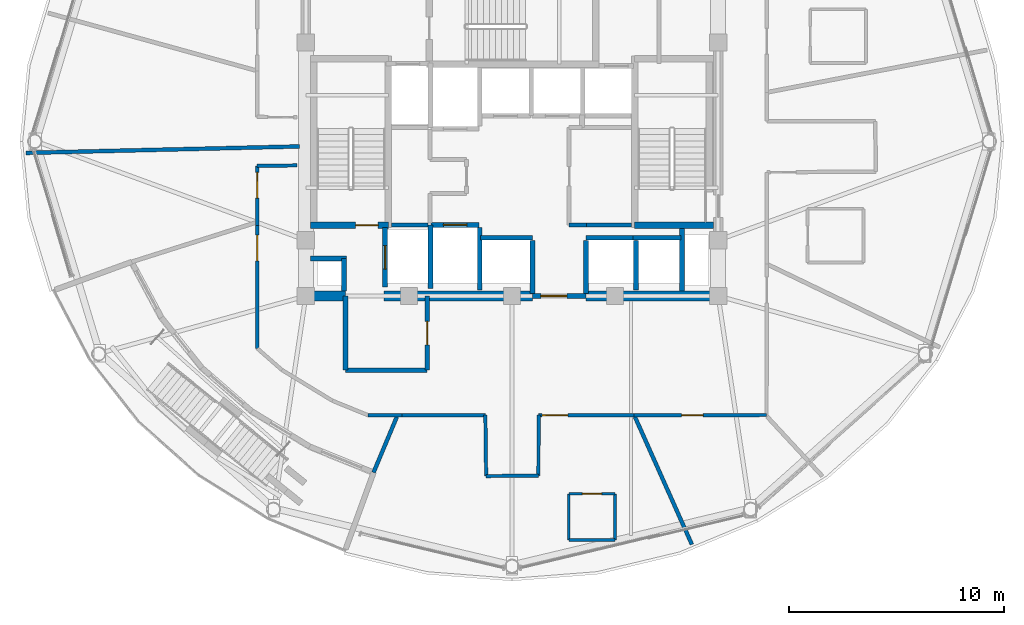
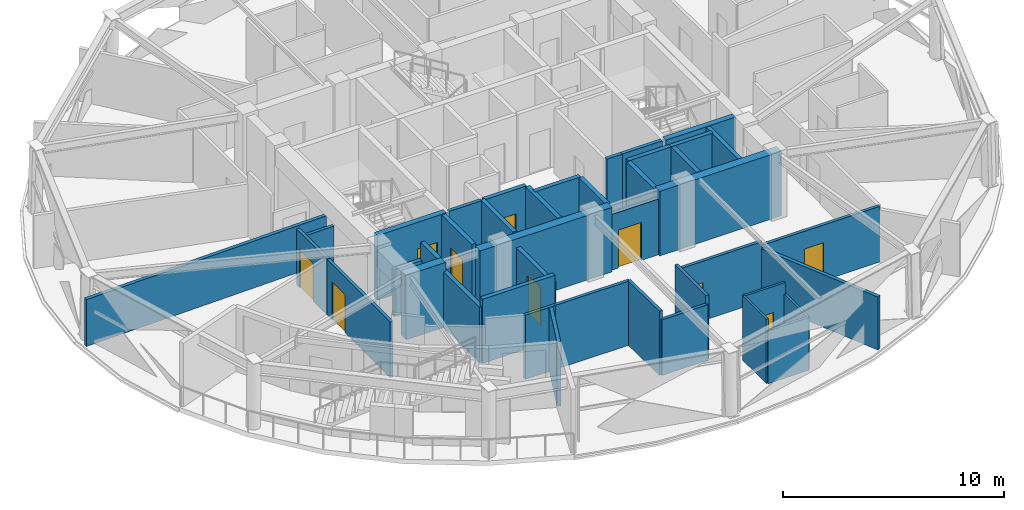
# One storey, part 10 of 17: 42 walls, 10 doors, 10 openings.
"""IFC4 building model written with IfcOpenShell, lengths in metres."""

from ifc_helpers import new_model, si_unit, direction, frame, frame_2d, origin, place, context, subcontext, project, spatial, rectangle, extrude, material, layer, layer_set, type_object, element, fill, save


model = new_model("IFC4")

# Units and contexts
model_context = context("Model", 3, precision=1e-05, world=origin(), true_north=direction((0.0, 1.0)))
body_context = subcontext(model_context, "Body", "Model", "MODEL_VIEW")
ifc_project = project(units=[si_unit("LENGTHUNIT", "METRE"), si_unit("AREAUNIT", "SQUARE_METRE"), si_unit("VOLUMEUNIT", "CUBIC_METRE"), si_unit("PLANEANGLEUNIT", "RADIAN"), si_unit("MASSUNIT", "GRAM", prefix="KILO")], contexts=[model_context])

# Site, building, storey
site_placement = place(None, origin())
site = spatial("IfcSite", under=ifc_project, at=site_placement, CompositionType="ELEMENT")
building_placement = place(site_placement, origin())
building = spatial("IfcBuilding", under=site, at=building_placement, Name="Vantalir Tower", CompositionType="ELEMENT")
storey_placement = place(building_placement, frame((0.0, 0.0, 208.64990234375)))
storey = spatial("IfcBuildingStorey", under=building, at=storey_placement, Name="L52", CompositionType="ELEMENT", Elevation=208.64990234375)

# Wall
ifc_material_1 = material(Name="Moisture-resistant en-suite partition", Category="gypsum")
ifc_layer_1 = layer(ifc_material_1, 0.125)
ifc_layer_set_1 = layer_set([ifc_layer_1], Name="Moisture-resistant en-suite partition")
wall_type_1 = type_object("IfcWallType", Name="WL-BATH-125", PredefinedType="PARTITIONING", material=ifc_layer_set_1)
wall_1_placement = place(storey_placement, frame((34.14794921875, 6.43896484375, 0.0), z_axis=(0.0, 0.0, 1.0), x_axis=(1.0, 0.0, 0.0)))
element("IfcWall", 1, at=wall_1_placement, inside=storey, type_object=wall_type_1, Name="L52 En-suite 09 South Wall", PredefinedType="PARTITIONING", context=body_context, shape_type="SweptSolid", body=[
    extrude(rectangle(XDim=2.150146484375, YDim=0.125, at=frame_2d((1.0751953125, 0.0))), origin(), (0.0, 0.0, 1.0), 2.925048828125),
])

# Wall, opening, door
wall_2_placement = place(storey_placement, frame((34.14794921875, 8.589111328125, 0.0), z_axis=(0.0, 0.0, 1.0), x_axis=(1.0, 0.0, 0.0)))
wall_2 = element("IfcWall", 2, at=wall_2_placement, inside=storey, type_object=wall_type_1, Name="L52 En-suite 09 North Wall", PredefinedType="PARTITIONING", context=body_context, shape_type="SweptSolid", body=[
    extrude(rectangle(XDim=2.150146484375, YDim=0.125, at=frame_2d((1.0751953125, 0.0))), origin(), (0.0, 0.0, 1.0), 3.550048828125),
])
opening_1_placement = place(wall_2_placement, frame((0.625, 0.0, 0.0)))
opening_1 = element("IfcOpeningElement", 3, at=opening_1_placement, cuts=wall_2, Name="Opening D-WC", PredefinedType="OPENING", context=body_context, shape_type="SweptSolid", body=[
    extrude(rectangle(XDim=0.89990234375, YDim=2.10009765625, at=frame_2d((0.449951171875, 1.050048828125))), frame((0.0, 0.072509765625, 0.0), z_axis=(0.0, -1.0, 0.0), x_axis=(1.0, 0.0, 0.0)), (0.0, 0.0, 1.0), 0.14501953125),
])
ifc_material_2 = material(Name="Moisture-resistant hardwood door", Category="wood")
door_type_1 = type_object("IfcDoorType", Name="DR-ENSUITE-900", OperationType="NOTDEFINED", PredefinedType="DOOR", material=ifc_material_2)
door_1_placement = place(opening_1_placement, frame((0.89990234375, 0.0, 0.0), z_axis=(0.0, 0.0, 1.0), x_axis=(-1.0, 0.0, 0.0)))
door_1 = element("IfcDoor", 4, at=door_1_placement, inside=storey, type_object=door_type_1, Name="L52 En-suite 09 Door", OperationType="SINGLE_SWING_RIGHT", OverallHeight=2.10009765625, OverallWidth=0.89990234375, PredefinedType="DOOR", context=body_context, shape_type="SweptSolid", body=[
    extrude(rectangle(XDim=0.89990234375, YDim=2.10009765625, at=frame_2d((0.449951171875, 1.050048828125))), frame((0.0, 0.02490234375, 0.0), z_axis=(0.0, -1.0, 0.0), x_axis=(1.0, 0.0, 0.0)), (0.0, 0.0, 1.0), 0.050048828125),
])
fill(opening_1, door_1)

# Walls
wall_3_placement = place(storey_placement, frame((34.14794921875, 6.43896484375, 0.0), z_axis=(0.0, 0.0, 1.0), x_axis=(0.0, 1.0, 0.0)))
element("IfcWall", 5, at=wall_3_placement, inside=storey, type_object=wall_type_1, Name="L52 En-suite 09 West Wall", PredefinedType="PARTITIONING", context=body_context, shape_type="SweptSolid", body=[
    extrude(rectangle(XDim=2.150146484375, YDim=0.125, at=frame_2d((1.0751953125, 0.0))), origin(), (0.0, 0.0, 1.0), 3.550048828125),
])
wall_4_placement = place(storey_placement, frame((36.298095703125, 6.43896484375, 0.0), z_axis=(0.0, 0.0, 1.0), x_axis=(0.0, 1.0, 0.0)))
element("IfcWall", 6, at=wall_4_placement, inside=storey, type_object=wall_type_1, Name="L52 En-suite 09 East Wall", PredefinedType="PARTITIONING", context=body_context, shape_type="SweptSolid", body=[
    extrude(rectangle(XDim=2.150146484375, YDim=0.125, at=frame_2d((1.0751953125, 0.0))), origin(), (0.0, 0.0, 1.0), 2.925048828125),
])
ifc_material_3 = material(Name="Concrete C50/60", Category="concrete")
ifc_layer_2 = layer(ifc_material_3, 0.449951171875)
ifc_layer_set_2 = layer_set([ifc_layer_2], Name="Concrete C50/60")
wall_type_2 = type_object("IfcWallType", Name="WL-CORE-450", PredefinedType="SHEAR", material=ifc_layer_set_2)
wall_5_placement = place(storey_placement, frame((21.675048828125, 17.800048828125, 0.0), z_axis=(0.0, 0.0, 1.0), x_axis=(1.0, 0.0, 0.0)))
element("IfcWall", 7, at=wall_5_placement, inside=storey, type_object=wall_type_2, Name="L52 Core Shear Wall South-West", PredefinedType="SHEAR", context=body_context, shape_type="SweptSolid", body=[
    extrude(rectangle(XDim=2.074951171875, YDim=0.449951171875, at=frame_2d((1.03759765625, 0.0))), origin(), (0.0, 0.0, 1.0), 3.570068359375),
])
wall_6_placement = place(storey_placement, frame((25.550048828125, 17.800048828125, 0.0), z_axis=(0.0, 0.0, 1.0), x_axis=(1.0, 0.0, 0.0)))
element("IfcWall", 8, at=wall_6_placement, inside=storey, type_object=wall_type_2, Name="L52 Core Shear Wall South-Mid", PredefinedType="SHEAR", context=body_context, shape_type="SweptSolid", body=[
    extrude(rectangle(XDim=6.89990234375, YDim=0.449951171875, at=frame_2d((3.449951171875, 0.0))), origin(), (0.0, 0.0, 1.0), 3.570068359375),
])
wall_7_placement = place(storey_placement, frame((34.949951171875, 17.800048828125, 0.0), z_axis=(0.0, 0.0, 1.0), x_axis=(1.0, 0.0, 0.0)))
element("IfcWall", 9, at=wall_7_placement, inside=storey, type_object=wall_type_2, Name="L52 Core Shear Wall South-East", PredefinedType="SHEAR", context=body_context, shape_type="SweptSolid", body=[
    extrude(rectangle(XDim=6.375, YDim=0.449951171875, at=frame_2d((3.1875, 0.0))), origin(), (0.0, 0.0, 1.0), 3.570068359375),
])

# Wall, opening, door
ifc_material_4 = material(Name="Fire-rated hotel corridor acoustic partition", Category="gypsum")
ifc_layer_3 = layer(ifc_material_4, 0.159912109375)
ifc_layer_set_3 = layer_set([ifc_layer_3], Name="Fire-rated hotel corridor acoustic partition")
wall_type_3 = type_object("IfcWallType", Name="WL-CORR-160", PredefinedType="PARTITIONING", material=ifc_layer_set_3)
wall_8_placement = place(storey_placement, frame((43.35009765625, 12.259033203125, 0.0), z_axis=(0.0, 0.0, 1.0), x_axis=(-0.999999653878, -0.00083201239, 0.0)))
wall_8 = element("IfcWall", 10, at=wall_8_placement, inside=storey, type_object=wall_type_3, Name="L52 Corridor Partition 20", PredefinedType="PARTITIONING", context=body_context, shape_type="SweptSolid", body=[
    extrude(rectangle(XDim=6.162109375, YDim=0.159912109375, at=frame_2d((3.0810546875, 0.0))), origin(), (0.0, 0.0, 1.0), 3.0810546875),
])
opening_2_placement = place(wall_8_placement, frame((2.947998046875, 0.0, 0.0)))
opening_2 = element("IfcOpeningElement", 11, at=opening_2_placement, cuts=wall_8, Name="Opening D-GUEST", PredefinedType="OPENING", context=body_context, shape_type="SweptSolid", body=[
    extrude(rectangle(XDim=1.0, YDim=2.10009765625, at=frame_2d((0.5, 1.050048828125))), frame((0.0, 0.08984375, 0.0), z_axis=(0.0, -1.0, 0.0), x_axis=(1.0, 0.0, 0.0)), (0.0, 0.0, 1.0), 0.179931640625),
])
ifc_material_5 = material(Name="Solid-core teak veneer acoustic fire door", Category="wood")
door_type_2 = type_object("IfcDoorType", Name="DR-GUEST-ENTRY-1000", OperationType="NOTDEFINED", PredefinedType="DOOR", material=ifc_material_5)
door_2_placement = place(opening_2_placement, origin())
door_2 = element("IfcDoor", 12, at=door_2_placement, inside=storey, type_object=door_type_2, Name="L52 Executive Business Study 10 Door", OperationType="SINGLE_SWING_LEFT", OverallHeight=2.10009765625, OverallWidth=1.0, PredefinedType="DOOR", context=body_context, shape_type="SweptSolid", body=[
    extrude(rectangle(XDim=1.0, YDim=2.10009765625, at=frame_2d((0.5, 1.050048828125))), frame((0.0, 0.02490234375, 0.0), z_axis=(0.0, -1.0, 0.0), x_axis=(1.0, 0.0, 0.0)), (0.0, 0.0, 1.0), 0.050048828125),
])
fill(opening_2, door_2)

wall_9_placement = place(storey_placement, frame((37.18798828125, 12.25390625, 0.0), z_axis=(0.0, 0.0, 1.0), x_axis=(-0.999999614379, -0.000878203734, 0.0)))
wall_9 = element("IfcWall", 13, at=wall_9_placement, inside=storey, type_object=wall_type_3, Name="L52 Corridor Partition 21", PredefinedType="PARTITIONING", context=body_context, shape_type="SweptSolid", body=[
    extrude(rectangle(XDim=4.447998046875, YDim=0.159912109375, at=frame_2d((2.22412109375, 0.0))), origin(), (0.0, 0.0, 1.0), 3.2890625),
])
opening_3_placement = place(wall_9_placement, frame((3.087890625, 0.0, 0.0)))
opening_3 = element("IfcOpeningElement", 14, at=opening_3_placement, cuts=wall_9, Name="Opening D-STE", PredefinedType="OPENING", context=body_context, shape_type="SweptSolid", body=[
    extrude(rectangle(XDim=1.199951171875, YDim=2.10009765625, at=frame_2d((0.60009765625, 1.050048828125))), frame((0.0, 0.08984375, 0.0), z_axis=(0.0, -1.0, 0.0), x_axis=(1.0, 0.0, 0.0)), (0.0, 0.0, 1.0), 0.179931640625),
])
ifc_material_6 = material(Name="Solid-core teak veneer suite entrance door", Category="wood")
door_type_3 = type_object("IfcDoorType", Name="DR-SUITE-ENTRY-1200", OperationType="NOTDEFINED", PredefinedType="DOOR", material=ifc_material_6)
door_3_placement = place(opening_3_placement, origin())
door_3 = element("IfcDoor", 15, at=door_3_placement, inside=storey, type_object=door_type_3, Name="L52 Executive Club Hotel Suite 09 Door", OperationType="SINGLE_SWING_RIGHT", OverallHeight=2.10009765625, OverallWidth=1.199951171875, PredefinedType="DOOR", context=body_context, shape_type="SweptSolid", body=[
    extrude(rectangle(XDim=1.199951171875, YDim=2.10009765625, at=frame_2d((0.60009765625, 1.050048828125))), frame((0.0, 0.02490234375, 0.0), z_axis=(0.0, -1.0, 0.0), x_axis=(1.0, 0.0, 0.0)), (0.0, 0.0, 1.0), 0.050048828125),
])
fill(opening_3, door_3)

# Walls
wall_10_placement = place(storey_placement, frame((32.739990234375, 12.25, 0.0), z_axis=(0.0, 0.0, 1.0), x_axis=(-0.003205389407, -0.999994862726, 0.0)))
element("IfcWall", 16, at=wall_10_placement, inside=storey, type_object=wall_type_3, Name="L52 Corridor Partition 22", PredefinedType="PARTITIONING", context=body_context, shape_type="SweptSolid", body=[
    extrude(rectangle(XDim=2.818115234375, YDim=0.159912109375, at=frame_2d((1.4091796875, 0.0))), origin(), (0.0, 0.0, 1.0), 3.550048828125),
])
wall_11_placement = place(storey_placement, frame((32.73095703125, 9.431884765625, 0.0), z_axis=(0.0, 0.0, 1.0), x_axis=(-0.9999812984, -0.006115786966, 0.0)))
element("IfcWall", 17, at=wall_11_placement, inside=storey, type_object=wall_type_3, Name="L52 Corridor Partition 23", PredefinedType="PARTITIONING", context=body_context, shape_type="SweptSolid", body=[
    extrude(rectangle(XDim=2.43505859375, YDim=0.159912109375, at=frame_2d((1.217529296875, 0.0))), origin(), (0.0, 0.0, 1.0), 3.0810546875),
])
wall_12_placement = place(storey_placement, frame((30.2958984375, 9.4169921875, 0.0), z_axis=(0.0, 0.0, 1.0), x_axis=(-0.012667029144, 0.999919769968, 0.0)))
element("IfcWall", 18, at=wall_12_placement, inside=storey, type_object=wall_type_3, Name="L52 Corridor Partition 24", PredefinedType="PARTITIONING", context=body_context, shape_type="SweptSolid", body=[
    extrude(rectangle(XDim=2.833251953125, YDim=0.159912109375, at=frame_2d((1.41650390625, 0.0))), origin(), (0.0, 0.0, 1.0), 3.550048828125),
])
wall_13_placement = place(storey_placement, frame((30.260009765625, 12.25, 0.0), z_axis=(0.0, 0.0, 1.0), x_axis=(-0.999999968423, 0.00025130363, 0.0)))
element("IfcWall", 19, at=wall_13_placement, inside=storey, type_object=wall_type_3, Name="L52 Corridor Partition 25", PredefinedType="PARTITIONING", context=body_context, shape_type="SweptSolid", body=[
    extrude(rectangle(XDim=3.885986328125, YDim=0.159912109375, at=frame_2d((1.94287109375, 0.0))), origin(), (0.0, 0.0, 1.0), 3.550048828125),
])
wall_14_placement = place(storey_placement, frame((26.3740234375, 12.2509765625, 0.0), z_axis=(0.0, 0.0, 1.0), x_axis=(-0.99999980948, 0.000617283833, 0.0)))
element("IfcWall", 20, at=wall_14_placement, inside=storey, type_object=wall_type_3, Name="L52 Corridor Partition 26", PredefinedType="PARTITIONING", context=body_context, shape_type="SweptSolid", body=[
    extrude(rectangle(XDim=1.58203125, YDim=0.159912109375, at=frame_2d((0.791015625, 0.0))), origin(), (0.0, 0.0, 1.0), 3.550048828125),
])

# Wall, opening, door
wall_15_placement = place(storey_placement, frame((19.638916015625, 15.362060546875, 0.0), z_axis=(0.0, 0.0, 1.0), x_axis=(-0.000340918756, 0.999999941887, 0.0)))
wall_15 = element("IfcWall", 21, at=wall_15_placement, inside=storey, type_object=wall_type_3, Name="L52 Corridor Partition 30", PredefinedType="PARTITIONING", context=body_context, shape_type="SweptSolid", body=[
    extrude(rectangle(XDim=5.72900390625, YDim=0.159912109375, at=frame_2d((2.864501953125, 0.0))), origin(), (0.0, 0.0, 1.0), 3.0810546875),
])
opening_4_placement = place(wall_15_placement, frame((4.0791015625, 0.0, 0.0)))
opening_4 = element("IfcOpeningElement", 22, at=opening_4_placement, cuts=wall_15, Name="Opening D-STE", PredefinedType="OPENING", context=body_context, shape_type="SweptSolid", body=[
    extrude(rectangle(XDim=1.199951171875, YDim=2.10009765625, at=frame_2d((0.60009765625, 1.050048828125))), frame((0.0, 0.08984375, 0.0), z_axis=(0.0, -1.0, 0.0), x_axis=(1.0, 0.0, 0.0)), (0.0, 0.0, 1.0), 0.179931640625),
])
door_4_placement = place(opening_4_placement, origin())
door_4 = element("IfcDoor", 23, at=door_4_placement, inside=storey, type_object=door_type_3, Name="L52 Sky Garden Conservatory Lounge 08 Door", OperationType="SINGLE_SWING_LEFT", OverallHeight=2.10009765625, OverallWidth=1.199951171875, PredefinedType="DOOR", context=body_context, shape_type="SweptSolid", body=[
    extrude(rectangle(XDim=1.199951171875, YDim=2.10009765625, at=frame_2d((0.60009765625, 1.050048828125))), frame((0.0, 0.02490234375, 0.0), z_axis=(0.0, -1.0, 0.0), x_axis=(1.0, 0.0, 0.0)), (0.0, 0.0, 1.0), 0.050048828125),
])
fill(opening_4, door_4)

wall_16_placement = place(storey_placement, frame((19.636962890625, 21.091064453125, 0.0), z_axis=(0.0, 0.0, 1.0), x_axis=(-0.000352951535, 0.999999937713, 0.0)))
wall_16 = element("IfcWall", 24, at=wall_16_placement, inside=storey, type_object=wall_type_3, Name="L52 Corridor Partition 31", PredefinedType="PARTITIONING", context=body_context, shape_type="SweptSolid", body=[
    extrude(rectangle(XDim=2.766845703125, YDim=0.159912109375, at=frame_2d((1.38330078125, 0.0))), origin(), (0.0, 0.0, 1.0), 3.0810546875),
])
opening_5_placement = place(wall_16_placement, frame((1.26806640625, 0.0, 0.0)))
opening_5 = element("IfcOpeningElement", 25, at=opening_5_placement, cuts=wall_16, Name="Opening D-STE", PredefinedType="OPENING", context=body_context, shape_type="SweptSolid", body=[
    extrude(rectangle(XDim=1.199951171875, YDim=2.10009765625, at=frame_2d((0.60009765625, 1.050048828125))), frame((0.0, 0.08984375, 0.0), z_axis=(0.0, -1.0, 0.0), x_axis=(1.0, 0.0, 0.0)), (0.0, 0.0, 1.0), 0.179931640625),
])
door_5_placement = place(opening_5_placement, origin())
door_5 = element("IfcDoor", 26, at=door_5_placement, inside=storey, type_object=door_type_3, Name="L52 Executive Sky Boardroom 07 Door", OperationType="SINGLE_SWING_RIGHT", OverallHeight=2.10009765625, OverallWidth=1.199951171875, PredefinedType="DOOR", context=body_context, shape_type="SweptSolid", body=[
    extrude(rectangle(XDim=1.199951171875, YDim=2.10009765625, at=frame_2d((0.60009765625, 1.050048828125))), frame((0.0, 0.02490234375, 0.0), z_axis=(0.0, -1.0, 0.0), x_axis=(1.0, 0.0, 0.0)), (0.0, 0.0, 1.0), 0.050048828125),
])
fill(opening_5, door_5)

# Walls
wall_17_placement = place(storey_placement, frame((19.635986328125, 23.85791015625, 0.0), z_axis=(0.0, 0.0, 1.0), x_axis=(0.999915502175, 0.012999558072, 0.0)))
element("IfcWall", 27, at=wall_17_placement, inside=storey, type_object=wall_type_3, Name="L52 Corridor Partition 32", PredefinedType="PARTITIONING", context=body_context, shape_type="SweptSolid", body=[
    extrude(rectangle(XDim=1.859375, YDim=0.159912109375, at=frame_2d((0.9296875, 0.0))), origin(), (0.0, 0.0, 1.0), 2.59521484375),
])
ifc_material_7 = material(Name="Concrete blockwork with fireboard lining", Category="masonry")
ifc_layer_4 = layer(ifc_material_7, 0.219970703125)
ifc_layer_set_4 = layer_set([ifc_layer_4], Name="Concrete blockwork with fireboard lining")
wall_type_4 = type_object("IfcWallType", Name="WL-FFL-220", PredefinedType="PARTITIONING", material=ifc_layer_set_4)
wall_18_placement = place(storey_placement, frame((30.0, 18.080078125, 0.0), z_axis=(0.0, 0.0, 1.0), x_axis=(0.0, 1.0, 0.0)))
element("IfcWall", 28, at=wall_18_placement, inside=storey, type_object=wall_type_4, Name="L52 Service Lift SV1 East Shaft Wall", PredefinedType="PARTITIONING", context=body_context, shape_type="SweptSolid", body=[
    extrude(rectangle(XDim=2.89990234375, YDim=0.219970703125, at=frame_2d((1.449951171875, 0.0))), origin(), (0.0, 0.0, 1.0), 3.545166015625),
])
for number, where, z_axis, x_axis, name in (
    (29, (32.449951171875, 17.919921875, 0.0), (0.0, 0.0, 1.0), (0.0, 1.0, 0.0), "L52 Shuttle Lift PL-X1 East Shaft Cheek"),
    (30, (34.949951171875, 17.919921875, 0.0), (0.0, 0.0, 1.0), (0.0, 1.0, 0.0), "L52 Shuttle Lift PL-X3 West Shaft Cheek"),
):
    element("IfcWall", number, at=place(storey_placement, frame(where, z_axis=z_axis, x_axis=x_axis)), inside=storey, type_object=wall_type_4, Name=name, PredefinedType="PARTITIONING", context=body_context, shape_type="SweptSolid", body=[
        extrude(rectangle(XDim=2.469970703125, YDim=0.219970703125, at=frame_2d((1.23486328125, 0.0))), origin(), (0.0, 0.0, 1.0), 3.545166015625),
    ])
wall_19_placement = place(storey_placement, frame((37.27490234375, 18.080078125, 0.0), z_axis=(0.0, 0.0, 1.0), x_axis=(0.0, 1.0, 0.0)))
element("IfcWall", 31, at=wall_19_placement, inside=storey, type_object=wall_type_4, Name="L52 Shuttle Lift PL-X2/X3 Shaft Divider", PredefinedType="PARTITIONING", context=body_context, shape_type="SweptSolid", body=[
    extrude(rectangle(XDim=2.309814453125, YDim=0.219970703125, at=frame_2d((1.15478515625, 0.0))), origin(), (0.0, 0.0, 1.0), 3.545166015625),
])

# Wall, opening, door
wall_20_placement = place(storey_placement, frame((32.449951171875, 17.800048828125, 0.0), z_axis=(0.0, 0.0, 1.0), x_axis=(1.0, 0.0, 0.0)))
wall_20 = element("IfcWall", 32, at=wall_20_placement, inside=storey, type_object=wall_type_4, Name="L52 Passenger Lift Lobby South Wall", PredefinedType="PARTITIONING", context=body_context, shape_type="SweptSolid", body=[
    extrude(rectangle(XDim=2.5, YDim=0.219970703125, at=frame_2d((1.25, 0.0))), origin(), (0.0, 0.0, 1.0), 3.0810546875),
])
opening_6_placement = place(wall_20_placement, frame((0.39990234375, 0.0, 0.0)))
opening_6 = element("IfcOpeningElement", 33, at=opening_6_placement, cuts=wall_20, Name="Opening D-STE", PredefinedType="OPENING", context=body_context, shape_type="SweptSolid", body=[
    extrude(rectangle(XDim=1.199951171875, YDim=2.10009765625, at=frame_2d((0.60009765625, 1.050048828125))), frame((0.0, 0.119873046875, 0.0), z_axis=(0.0, -1.0, 0.0), x_axis=(1.0, 0.0, 0.0)), (0.0, 0.0, 1.0), 0.239990234375),
])
door_6_placement = place(opening_6_placement, origin())
door_6 = element("IfcDoor", 34, at=door_6_placement, inside=storey, type_object=door_type_3, Name="L52 Passenger Lift Lobby Concourse Door", OperationType="SINGLE_SWING_LEFT", OverallHeight=2.10009765625, OverallWidth=1.199951171875, PredefinedType="DOOR", context=body_context, shape_type="SweptSolid", body=[
    extrude(rectangle(XDim=1.199951171875, YDim=2.10009765625, at=frame_2d((0.60009765625, 1.050048828125))), frame((0.0, 0.02490234375, 0.0), z_axis=(0.0, -1.0, 0.0), x_axis=(1.0, 0.0, 0.0)), (0.0, 0.0, 1.0), 0.050048828125),
])
fill(opening_6, door_6)

# Walls
wall_21_placement = place(storey_placement, frame((23.679931640625, 18.02490234375, 0.0), z_axis=(0.0, 0.0, 1.0), x_axis=(0.0, 1.0, 0.0)))
element("IfcWall", 35, at=wall_21_placement, inside=storey, type_object=wall_type_4, Name="L52 West MEP Riser Wall E", PredefinedType="PARTITIONING", context=body_context, shape_type="SweptSolid", body=[
    extrude(rectangle(XDim=1.525146484375, YDim=0.219970703125, at=frame_2d((0.7626953125, 0.0))), origin(), (0.0, 0.0, 1.0), 3.550048828125),
])
wall_22_placement = place(storey_placement, frame((22.125, 19.550048828125, 0.0), z_axis=(0.0, 0.0, 1.0), x_axis=(1.0, 0.0, 0.0)))
element("IfcWall", 36, at=wall_22_placement, inside=storey, type_object=wall_type_4, Name="L52 West MEP Riser Wall N", PredefinedType="PARTITIONING", context=body_context, shape_type="SweptSolid", body=[
    extrude(rectangle(XDim=1.6650390625, YDim=0.219970703125, at=frame_2d((0.83251953125, 0.0))), origin(), (0.0, 0.0, 1.0), 2.59521484375),
])
wall_23_placement = place(storey_placement, frame((39.419921875, 18.02490234375, 0.0), z_axis=(0.0, 0.0, 1.0), x_axis=(0.0, 1.0, 0.0)))
element("IfcWall", 37, at=wall_23_placement, inside=storey, type_object=wall_type_4, Name="L52 East MEP Riser Wall W", PredefinedType="PARTITIONING", context=body_context, shape_type="SweptSolid", body=[
    extrude(rectangle(XDim=2.925048828125, YDim=0.219970703125, at=frame_2d((1.46240234375, 0.0))), origin(), (0.0, 0.0, 1.0), 3.550048828125),
])

# Wall, opening, door
wall_24_placement = place(storey_placement, frame((25.590087890625, 18.219970703125, 0.0), z_axis=(0.0, 0.0, 1.0), x_axis=(0.0, 1.0, 0.0)))
wall_24 = element("IfcWall", 38, at=wall_24_placement, inside=storey, type_object=wall_type_4, Name="L52 Lift FL1 Shaft Front Wall", PredefinedType="PARTITIONING", context=body_context, shape_type="SweptSolid", body=[
    extrude(rectangle(XDim=2.760009765625, YDim=0.219970703125, at=frame_2d((1.3798828125, 0.0))), origin(), (0.0, 0.0, 1.0), 3.550048828125),
])
opening_7_placement = place(wall_24_placement, frame((0.830078125, 0.0, 0.0)))
opening_7 = element("IfcOpeningElement", 39, at=opening_7_placement, cuts=wall_24, Name="Opening LD-FL1", PredefinedType="OPENING", context=body_context, shape_type="SweptSolid", body=[
    extrude(rectangle(XDim=1.10009765625, YDim=2.199951171875, at=frame_2d((0.550048828125, 1.10009765625))), frame((0.0, 0.119873046875, 0.0), z_axis=(0.0, -1.0, 0.0), x_axis=(1.0, 0.0, 0.0)), (0.0, 0.0, 1.0), 0.239990234375),
])
ifc_material_8 = material(Name="Brushed stainless-steel sliding lift landing door", Category="steel")
door_type_4 = type_object("IfcDoorType", Name="DR-LIFT-LANDING-1100", OperationType="DOUBLE_DOOR_SLIDING", PredefinedType="DOOR", material=ifc_material_8)
door_7_placement = place(opening_7_placement, origin())
door_7 = element("IfcDoor", 40, at=door_7_placement, inside=storey, type_object=door_type_4, Name="L52 Lift Landing Door FL1", OperationType="DOUBLE_DOOR_SLIDING", OverallHeight=2.199951171875, OverallWidth=1.10009765625, PredefinedType="DOOR", context=body_context, shape_type="SweptSolid", body=[
    extrude(rectangle(XDim=1.10009765625, YDim=2.199951171875, at=frame_2d((0.550048828125, 1.10009765625))), frame((0.0, 0.02490234375, 0.0), z_axis=(0.0, -1.0, 0.0), x_axis=(1.0, 0.0, 0.0)), (0.0, 0.0, 1.0), 0.050048828125),
])
fill(opening_7, door_7)

wall_25_placement = place(storey_placement, frame((27.739990234375, 21.110107421875, 0.0), z_axis=(0.0, 0.0, 1.0), x_axis=(1.0, 0.0, 0.0)))
wall_25 = element("IfcWall", 41, at=wall_25_placement, inside=storey, type_object=wall_type_4, Name="L52 Lift SV1 Shaft Front Wall", PredefinedType="PARTITIONING", context=body_context, shape_type="SweptSolid", body=[
    extrude(rectangle(XDim=2.219970703125, YDim=0.219970703125, at=frame_2d((1.10986328125, 0.0))), origin(), (0.0, 0.0, 1.0), 3.550048828125),
])
opening_8_placement = place(wall_25_placement, frame((0.56005859375, 0.0, 0.0)))
opening_8 = element("IfcOpeningElement", 42, at=opening_8_placement, cuts=wall_25, Name="Opening LD-SV1", PredefinedType="OPENING", context=body_context, shape_type="SweptSolid", body=[
    extrude(rectangle(XDim=1.10009765625, YDim=2.199951171875, at=frame_2d((0.550048828125, 1.10009765625))), frame((0.0, 0.119873046875, 0.0), z_axis=(0.0, -1.0, 0.0), x_axis=(1.0, 0.0, 0.0)), (0.0, 0.0, 1.0), 0.239990234375),
])
door_8_placement = place(opening_8_placement, origin())
door_8 = element("IfcDoor", 43, at=door_8_placement, inside=storey, type_object=door_type_4, Name="L52 Lift Landing Door SV1", OperationType="DOUBLE_DOOR_SLIDING", OverallHeight=2.199951171875, OverallWidth=1.10009765625, PredefinedType="DOOR", context=body_context, shape_type="SweptSolid", body=[
    extrude(rectangle(XDim=1.10009765625, YDim=2.199951171875, at=frame_2d((0.550048828125, 1.10009765625))), frame((0.0, 0.02490234375, 0.0), z_axis=(0.0, -1.0, 0.0), x_axis=(1.0, 0.0, 0.0)), (0.0, 0.0, 1.0), 0.050048828125),
])
fill(opening_8, door_8)

# Walls
wall_26_placement = place(storey_placement, frame((30.0400390625, 20.510009765625, 0.0), z_axis=(0.0, 0.0, 1.0), x_axis=(1.0, 0.0, 0.0)))
element("IfcWall", 44, at=wall_26_placement, inside=storey, type_object=wall_type_4, Name="L52 Lift PL-X1 Shaft Front Wall", PredefinedType="PARTITIONING", context=body_context, shape_type="SweptSolid", body=[
    extrude(rectangle(XDim=2.419921875, YDim=0.219970703125, at=frame_2d((1.2099609375, 0.0))), origin(), (0.0, 0.0, 1.0), 3.550048828125),
])
for number, where, z_axis, x_axis, name in (
    (45, (37.139892578125, 20.510009765625, 0.0), (0.0, 0.0, 1.0), (1.0, 0.0, 0.0), "L52 Lift PL-X2 Shaft Rear Wall"),
    (46, (34.93994140625, 20.510009765625, 0.0), (0.0, 0.0, 1.0), (1.0, 0.0, 0.0), "L52 Lift PL-X3 Shaft Front Wall"),
):
    element("IfcWall", number, at=place(storey_placement, frame(where, z_axis=z_axis, x_axis=x_axis)), inside=storey, type_object=wall_type_4, Name=name, PredefinedType="PARTITIONING", context=body_context, shape_type="SweptSolid", body=[
        extrude(rectangle(XDim=2.239990234375, YDim=0.219970703125, at=frame_2d((1.1201171875, 0.0))), origin(), (0.0, 0.0, 1.0), 3.550048828125),
    ])
wall_27_placement = place(storey_placement, frame((27.699951171875, 18.14990234375, 0.0), z_axis=(0.0, 0.0, 1.0), x_axis=(0.0, 1.0, 0.0)))
element("IfcWall", 47, at=wall_27_placement, inside=storey, type_object=wall_type_4, Name="L52 Fire Lift FL1 Dividing Wall", PredefinedType="PARTITIONING", context=body_context, shape_type="SweptSolid", body=[
    extrude(rectangle(XDim=2.9501953125, YDim=0.219970703125, at=frame_2d((1.47509765625, 0.0))), origin(), (0.0, 0.0, 1.0), 3.550048828125),
])
wall_28_placement = place(storey_placement, frame((23.75, 14.35009765625, 0.0), z_axis=(0.0, 0.0, 1.0), x_axis=(0.0, 1.0, 0.0)))
element("IfcWall", 48, at=wall_28_placement, inside=storey, type_object=wall_type_4, Name="L52 Firefighting Lobby West Outer W", PredefinedType="PARTITIONING", context=body_context, shape_type="SweptSolid", body=[
    extrude(rectangle(XDim=3.449951171875, YDim=0.219970703125, at=frame_2d((1.72509765625, 0.0))), origin(), (0.0, 0.0, 1.0), 3.0810546875),
])
wall_29_placement = place(storey_placement, frame((23.75, 14.35009765625, 0.0), z_axis=(0.0, 0.0, 1.0), x_axis=(1.0, 0.0, 0.0)))
element("IfcWall", 49, at=wall_29_placement, inside=storey, type_object=wall_type_4, Name="L52 Firefighting Lobby West South Wall", PredefinedType="PARTITIONING", context=body_context, shape_type="SweptSolid", body=[
    extrude(rectangle(XDim=3.800048828125, YDim=0.219970703125, at=frame_2d((1.89990234375, 0.0))), origin(), (0.0, 0.0, 1.0), 3.550048828125),
])

# Wall, opening, door
wall_30_placement = place(storey_placement, frame((27.550048828125, 14.35009765625, 0.0), z_axis=(0.0, 0.0, 1.0), x_axis=(0.0, 1.0, 0.0)))
wall_30 = element("IfcWall", 50, at=wall_30_placement, inside=storey, type_object=wall_type_4, Name="L52 Firefighting Lobby West East Wall", PredefinedType="PARTITIONING", context=body_context, shape_type="SweptSolid", body=[
    extrude(rectangle(XDim=3.449951171875, YDim=0.219970703125, at=frame_2d((1.72509765625, 0.0))), origin(), (0.0, 0.0, 1.0), 3.0810546875),
])
opening_9_placement = place(wall_30_placement, frame((1.175048828125, 0.0, 0.0)))
opening_9 = element("IfcOpeningElement", 51, at=opening_9_placement, cuts=wall_30, Name="Opening D-FFL", PredefinedType="OPENING", context=body_context, shape_type="SweptSolid", body=[
    extrude(rectangle(XDim=1.10009765625, YDim=2.10009765625, at=frame_2d((0.550048828125, 1.050048828125))), frame((0.0, 0.119873046875, 0.0), z_axis=(0.0, -1.0, 0.0), x_axis=(1.0, 0.0, 0.0)), (0.0, 0.0, 1.0), 0.239990234375),
])
ifc_material_9 = material(Name="Fire-rated acoustic steel door", Category="steel")
door_type_5 = type_object("IfcDoorType", Name="DR-FIRE-LOBBY-1100", OperationType="NOTDEFINED", PredefinedType="DOOR", material=ifc_material_9)
door_9_placement = place(opening_9_placement, origin())
door_9 = element("IfcDoor", 52, at=door_9_placement, inside=storey, type_object=door_type_5, Name="L52 Firefighting Lobby West Access Door", OperationType="SINGLE_SWING_LEFT", OverallHeight=2.10009765625, OverallWidth=1.10009765625, PredefinedType="DOOR", context=body_context, shape_type="SweptSolid", body=[
    extrude(rectangle(XDim=1.10009765625, YDim=2.10009765625, at=frame_2d((0.550048828125, 1.050048828125))), frame((0.0, 0.02490234375, 0.0), z_axis=(0.0, -1.0, 0.0), x_axis=(1.0, 0.0, 0.0)), (0.0, 0.0, 1.0), 0.050048828125),
])
fill(opening_9, door_9)

# Walls
ifc_material_10 = material(Name="Twin-stud acoustic fire-rated gypsum partition", Category="gypsum")
ifc_layer_5 = layer(ifc_material_10, 0.179931640625)
ifc_layer_set_5 = layer_set([ifc_layer_5], Name="Twin-stud acoustic fire-rated gypsum partition")
wall_type_5 = type_object("IfcWallType", Name="WL-GUEST-180", PredefinedType="PARTITIONING", material=ifc_layer_set_5)
wall_31_placement = place(storey_placement, frame((25.889892578125, 21.10009765625, 0.0), z_axis=(0.0, 0.0, 1.0), x_axis=(1.0, 0.0, 0.0)))
element("IfcWall", 53, at=wall_31_placement, inside=storey, type_object=wall_type_5, Name="L52 Freed West Core South Wall", PredefinedType="PARTITIONING", context=body_context, shape_type="SweptSolid", body=[
    extrude(rectangle(XDim=1.7001953125, YDim=0.179931640625, at=frame_2d((0.85009765625, 0.0))), origin(), (0.0, 0.0, 1.0), 3.550048828125),
])
wall_32_placement = place(storey_placement, frame((34.97998046875, 21.10009765625, 0.0), z_axis=(0.0, 0.0, 1.0), x_axis=(1.0, 0.0, 0.0)))
element("IfcWall", 54, at=wall_32_placement, inside=storey, type_object=wall_type_5, Name="L52 Freed East Core South Wall", PredefinedType="PARTITIONING", context=body_context, shape_type="SweptSolid", body=[
    extrude(rectangle(XDim=2.080078125, YDim=0.179931640625, at=frame_2d((1.0400390625, 0.0))), origin(), (0.0, 0.0, 1.0), 3.550048828125),
])
wall_33_placement = place(storey_placement, frame((34.159912109375, 21.10009765625, 0.0), z_axis=(0.0, 0.0, 1.0), x_axis=(1.0, 0.0, 0.0)))
element("IfcWall", 55, at=wall_33_placement, inside=storey, type_object=wall_type_5, Name="L52 East IT Room South Return", PredefinedType="PARTITIONING", context=body_context, shape_type="SweptSolid", body=[
    extrude(rectangle(XDim=0.820068359375, YDim=0.179931640625, at=frame_2d((0.41015625, 0.0))), origin(), (0.0, 0.0, 1.0), 3.550048828125),
])
wall_34_placement = place(storey_placement, frame((21.60009765625, 24.764892578125, 0.0), z_axis=(0.0, 0.0, 1.0), x_axis=(-0.999721034175, -0.023618929451, 0.0)))
element("IfcWall", 56, at=wall_34_placement, inside=storey, type_object=wall_type_5, Name="L52 Radial Suite Partition 07", PredefinedType="PARTITIONING", context=body_context, shape_type="SweptSolid", body=[
    extrude(rectangle(XDim=12.73486328125, YDim=0.179931640625, at=frame_2d((6.367431640625, 0.0))), origin(), (0.0, 0.0, 1.0), 2.59521484375),
])
wall_35_placement = place(storey_placement, frame((26.137939453125, 12.175048828125, 0.0), z_axis=(0.0, 0.0, 1.0), x_axis=(-0.385893634076, -0.922543279841, 0.0)))
element("IfcWall", 57, at=wall_35_placement, inside=storey, type_object=wall_type_5, Name="L52 Radial Suite Partition 09", PredefinedType="PARTITIONING", context=body_context, shape_type="SweptSolid", body=[
    extrude(rectangle(XDim=2.806396484375, YDim=0.179931640625, at=frame_2d((1.4033203125, 0.0))), origin(), (0.0, 0.0, 1.0), 3.550048828125),
])
wall_36_placement = place(storey_placement, frame((37.22412109375, 12.175048828125, 0.0), z_axis=(0.0, 0.0, 1.0), x_axis=(0.407468116355, -0.913219433736, 0.0)))
element("IfcWall", 58, at=wall_36_placement, inside=storey, type_object=wall_type_5, Name="L52 Radial Suite Partition 10", PredefinedType="PARTITIONING", context=body_context, shape_type="SweptSolid", body=[
    extrude(rectangle(XDim=6.505615234375, YDim=0.179931640625, at=frame_2d((3.2529296875, 0.0))), origin(), (0.0, 0.0, 1.0), 2.925048828125),
])

# Wall, opening, door
ifc_layer_6 = layer(ifc_material_3, 0.300048828125)
ifc_layer_set_6 = layer_set([ifc_layer_6], Name="Concrete C50/60")
wall_type_6 = type_object("IfcWallType", Name="WL-STAIR-300", PredefinedType="SHEAR", material=ifc_layer_set_6)
wall_37_placement = place(storey_placement, frame((22.125, 21.10009765625, 0.0), z_axis=(0.0, 0.0, 1.0), x_axis=(1.0, 0.0, 0.0)))
wall_37 = element("IfcWall", 59, at=wall_37_placement, inside=storey, type_object=wall_type_6, Name="L52 Stair ST1 South Wall", PredefinedType="SHEAR", context=body_context, shape_type="SweptSolid", body=[
    extrude(rectangle(XDim=3.614990234375, YDim=0.300048828125, at=frame_2d((1.8076171875, 0.0))), origin(), (0.0, 0.0, 1.0), 3.570068359375),
])
opening_10_placement = place(wall_37_placement, frame((2.094970703125, 0.0, 0.0)))
opening_10 = element("IfcOpeningElement", 60, at=opening_10_placement, cuts=wall_37, Name="Opening D-ST", PredefinedType="OPENING", context=body_context, shape_type="SweptSolid", body=[
    extrude(rectangle(XDim=1.050048828125, YDim=2.10009765625, at=frame_2d((0.52490234375, 1.050048828125))), frame((0.0, 0.159912109375, 0.0), z_axis=(0.0, -1.0, 0.0), x_axis=(1.0, 0.0, 0.0)), (0.0, 0.0, 1.0), 0.320068359375),
])
ifc_material_11 = material(Name="Fire-rated steel door leaf", Category="steel")
door_type_6 = type_object("IfcDoorType", Name="DR-FIRE-STAIR-1050", OperationType="NOTDEFINED", PredefinedType="DOOR", material=ifc_material_11)
door_10_placement = place(opening_10_placement, origin())
door_10 = element("IfcDoor", 61, at=door_10_placement, inside=storey, type_object=door_type_6, Name="L52 Exit Stair ST1 Fire Door", OperationType="SINGLE_SWING_LEFT", OverallHeight=2.10009765625, OverallWidth=1.050048828125, PredefinedType="DOOR", context=body_context, shape_type="SweptSolid", body=[
    extrude(rectangle(XDim=1.050048828125, YDim=2.10009765625, at=frame_2d((0.52490234375, 1.050048828125))), frame((0.0, 0.02490234375, 0.0), z_axis=(0.0, -1.0, 0.0), x_axis=(1.0, 0.0, 0.0)), (0.0, 0.0, 1.0), 0.050048828125),
])
fill(opening_10, door_10)

# Wall
wall_38_placement = place(storey_placement, frame((37.2099609375, 21.10009765625, 0.0), z_axis=(0.0, 0.0, 1.0), x_axis=(1.0, 0.0, 0.0)))
element("IfcWall", 62, at=wall_38_placement, inside=storey, type_object=wall_type_6, Name="L52 Stair ST2 South Wall", PredefinedType="SHEAR", context=body_context, shape_type="SweptSolid", body=[
    extrude(rectangle(XDim=3.6650390625, YDim=0.300048828125, at=frame_2d((1.83251953125, 0.0))), origin(), (0.0, 0.0, 1.0), 3.570068359375),
])

save(model, "model.ifc")
